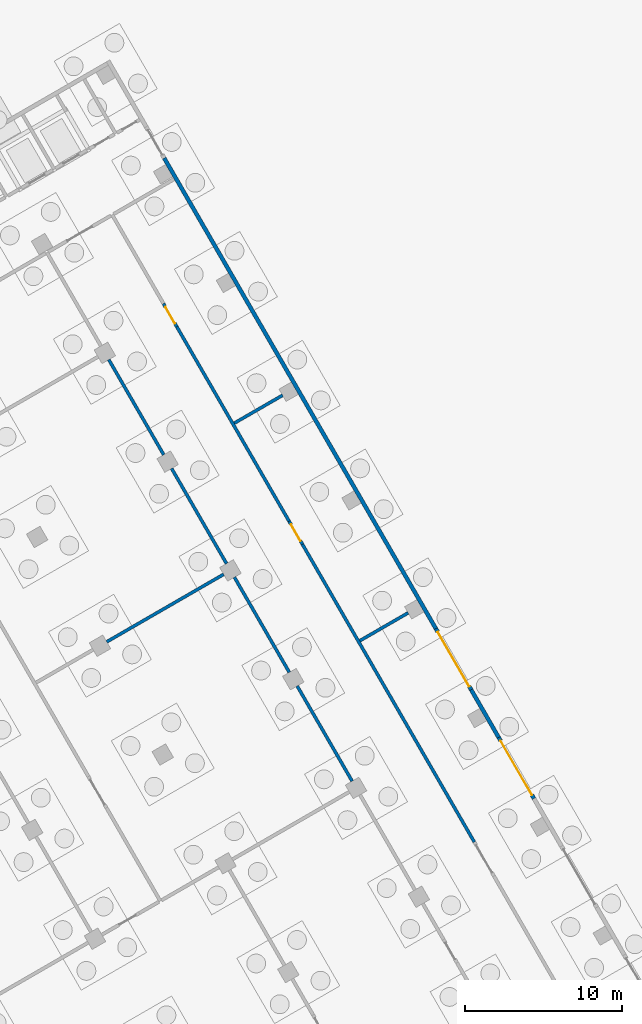
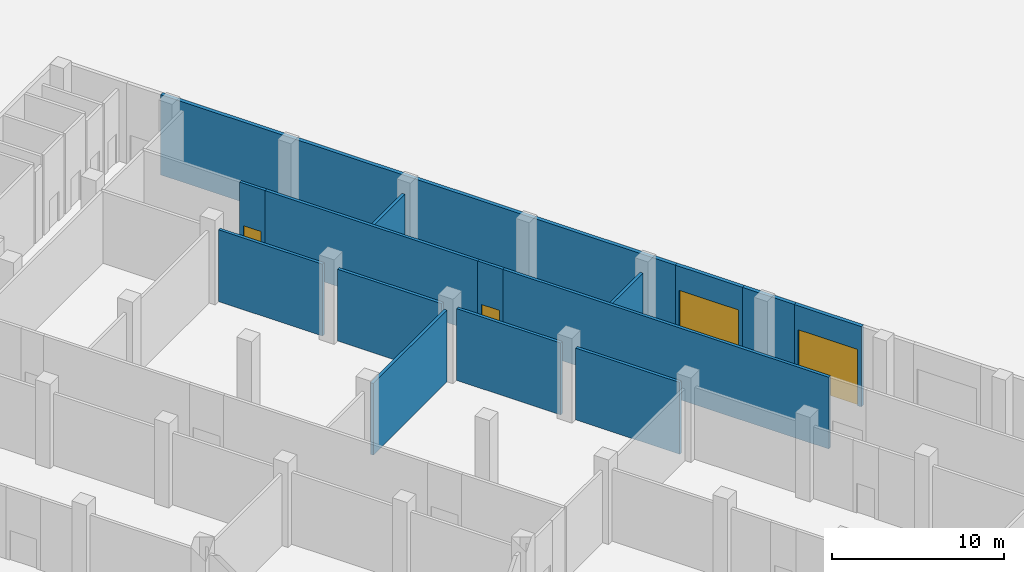
# One storey, part 23 of 38: 15 walls, 4 doors, 4 openings.
"""IFC4 building model written with IfcOpenShell, lengths in metres."""

from ifc_helpers import new_model, si_unit, direction, frame, frame_2d, origin, place, context, subcontext, project, spatial, rectangle, extrude, material, layer, layer_set, type_object, element, fill, save


model = new_model("IFC4")

# Units and contexts
model_context = context("Model", 3, precision=1e-05, world=origin(), true_north=direction((0.0, 1.0)))
body_context = subcontext(model_context, "Body", "Model", "MODEL_VIEW")
ifc_project = project(units=[si_unit("LENGTHUNIT", "METRE"), si_unit("AREAUNIT", "SQUARE_METRE"), si_unit("VOLUMEUNIT", "CUBIC_METRE"), si_unit("PLANEANGLEUNIT", "RADIAN"), si_unit("MASSUNIT", "GRAM", prefix="KILO")], contexts=[model_context])

# Site, building, storey
site_placement = place(None, origin())
site = spatial("IfcSite", under=ifc_project, at=site_placement, CompositionType="ELEMENT")
building_placement = place(site_placement, origin())
building = spatial("IfcBuilding", under=site, at=building_placement, Name="Mestral Congress Tower", CompositionType="ELEMENT")
storey_placement = place(building_placement, origin())
storey = spatial("IfcBuildingStorey", under=building, at=storey_placement, Name="L00", CompositionType="ELEMENT", Elevation=0.0)

# Wall, opening, door
ifc_material_1 = material(Name="Precast concrete C40/50 with limestone facing", Category="masonry")
ifc_layer_1 = layer(ifc_material_1, 0.25)
ifc_layer_set_1 = layer_set([ifc_layer_1], Name="Precast concrete C40/50 with limestone facing")
wall_type_1 = type_object("IfcWallType", Name="Podium external wall 250", PredefinedType="SOLIDWALL", material=ifc_layer_set_1)
wall_1_placement = place(storey_placement, frame((68.790283203125, 28.457763671875, 0.0), z_axis=(0.0, 0.0, 1.0), x_axis=(0.500013631625, -0.866017533419, 0.0)))
wall_1 = element("IfcWall", 1, at=wall_1_placement, inside=storey, type_object=wall_type_1, Name="L00 external wall", PredefinedType="SOLIDWALL", context=body_context, shape_type="SweptSolid", body=[
    extrude(rectangle(XDim=4.499755859375, YDim=0.25, at=frame_2d((2.25, 0.0))), origin(), (0.0, 0.0, 1.0), 5.699951171875),
])
opening_1_placement = place(wall_1_placement, frame((0.25, 0.0, 0.0)))
opening_1 = element("IfcOpeningElement", 2, at=opening_1_placement, cuts=wall_1, Name="Opening P00-010", PredefinedType="OPENING", context=body_context, shape_type="SweptSolid", body=[
    extrude(rectangle(XDim=4.0, YDim=4.0, at=frame_2d((2.0, 2.0))), frame((0.0, 0.135009765625, 0.0), z_axis=(0.0, -1.0, 0.0), x_axis=(1.0, 0.0, 0.0)), (0.0, 0.0, 1.0), 0.27001953125),
])
ifc_material_2 = material(Name="Fire-rated steel door set", Category="steel")
door_type_1 = type_object("IfcDoorType", Name="Podium service door 4000x4000", OperationType="ROLLINGUP", PredefinedType="DOOR", material=ifc_material_2)
door_1_placement = place(opening_1_placement, origin())
door_1 = element("IfcDoor", 3, at=door_1_placement, inside=storey, type_object=door_type_1, Name="Door P00-010", OperationType="ROLLINGUP", OverallHeight=4.0, OverallWidth=4.0, PredefinedType="DOOR", context=body_context, shape_type="SweptSolid", body=[
    extrude(rectangle(XDim=4.0, YDim=4.0, at=frame_2d((2.0, 2.0))), frame((0.0, 0.02490234375, 0.0), z_axis=(0.0, -1.0, 0.0), x_axis=(1.0, 0.0, 0.0)), (0.0, 0.0, 1.0), 0.050048828125),
])
fill(opening_1, door_1)

# Wall
wall_2_placement = place(storey_placement, frame((67.040283203125, 31.489013671875, 0.0), z_axis=(0.0, 0.0, 1.0), x_axis=(0.499980071345, -0.866036909293, 0.0)))
element("IfcWall", 4, at=wall_2_placement, inside=storey, type_object=wall_type_1, Name="L00 external wall", PredefinedType="SOLIDWALL", context=body_context, shape_type="SweptSolid", body=[
    extrude(rectangle(XDim=3.500244140625, YDim=0.25, at=frame_2d((1.75, 0.0))), origin(), (0.0, 0.0, 1.0), 5.699951171875),
])

# Wall, opening, door
wall_3_placement = place(storey_placement, frame((64.790283203125, 35.385986328125, 0.0), z_axis=(0.0, 0.0, 1.0), x_axis=(0.500013631625, -0.866017533419, 0.0)))
wall_3 = element("IfcWall", 5, at=wall_3_placement, inside=storey, type_object=wall_type_1, Name="L00 external wall", PredefinedType="SOLIDWALL", context=body_context, shape_type="SweptSolid", body=[
    extrude(rectangle(XDim=4.499755859375, YDim=0.25, at=frame_2d((2.25, 0.0))), origin(), (0.0, 0.0, 1.0), 5.699951171875),
])
opening_2_placement = place(wall_3_placement, frame((0.25, 0.0, 0.0)))
opening_2 = element("IfcOpeningElement", 6, at=opening_2_placement, cuts=wall_3, Name="Opening P00-011", PredefinedType="OPENING", context=body_context, shape_type="SweptSolid", body=[
    extrude(rectangle(XDim=4.0, YDim=4.0, at=frame_2d((2.0, 2.0))), frame((0.0, 0.135009765625, 0.0), z_axis=(0.0, -1.0, 0.0), x_axis=(1.0, 0.0, 0.0)), (0.0, 0.0, 1.0), 0.27001953125),
])
door_2_placement = place(opening_2_placement, origin())
door_2 = element("IfcDoor", 7, at=door_2_placement, inside=storey, type_object=door_type_1, Name="Door P00-011", OperationType="ROLLINGUP", OverallHeight=4.0, OverallWidth=4.0, PredefinedType="DOOR", context=body_context, shape_type="SweptSolid", body=[
    extrude(rectangle(XDim=4.0, YDim=4.0, at=frame_2d((2.0, 2.0))), frame((0.0, 0.02490234375, 0.0), z_axis=(0.0, -1.0, 0.0), x_axis=(1.0, 0.0, 0.0)), (0.0, 0.0, 1.0), 0.050048828125),
])
fill(opening_2, door_2)

# Walls
wall_4_placement = place(storey_placement, frame((47.490234375, 65.3505859375, 0.0), z_axis=(0.0, 0.0, 1.0), x_axis=(0.499999548647, -0.866025664373, 0.0)))
element("IfcWall", 8, at=wall_4_placement, inside=storey, type_object=wall_type_1, Name="L00 external wall", PredefinedType="SOLIDWALL", context=body_context, shape_type="SweptSolid", body=[
    extrude(rectangle(XDim=34.60009765625, YDim=0.25, at=frame_2d((17.300048828125, 0.0))), origin(), (0.0, 0.0, 1.0), 5.699951171875),
])
ifc_material_3 = material(Name="Fire-rated board partition")
ifc_layer_2 = layer(ifc_material_3, 0.199951171875)
ifc_layer_set_2 = layer_set([ifc_layer_2], Name="Fire-rated board partition")
wall_type_2 = type_object("IfcWallType", Name="Podium vestibule wall 200 EI 120", PredefinedType="PARTITIONING", material=ifc_layer_set_2)
for number, where, z_axis, x_axis, name in (
    (9, (59.459716796875, 25.668701171875, 0.0), (0.0, 0.0, 1.0), (-0.499995173006, 0.866028190633, 0.0), "L00 partition"),
    (10, (55.459716796875, 32.596923828125, 0.0), (0.0, 0.0, 1.0), (-0.499995173006, 0.866028190633, 0.0), "L00 partition"),
    (11, (51.459716796875, 39.525146484375, 0.0), (0.0, 0.0, 1.0), (-0.499995173006, 0.866028190633, 0.0), "L00 partition"),
    (12, (47.459716796875, 46.453369140625, 0.0), (0.0, 0.0, 1.0), (-0.499995173006, 0.866028190633, 0.0), "L00 partition"),
):
    element("IfcWall", number, at=place(storey_placement, frame(where, z_axis=z_axis, x_axis=x_axis)), inside=storey, type_object=wall_type_2, Name=name, PredefinedType="PARTITIONING", context=body_context, shape_type="SweptSolid", body=[
        extrude(rectangle(XDim=7.0, YDim=0.199951171875, at=frame_2d((3.5, 0.0))), origin(), (0.0, 0.0, 1.0), 5.10009765625),
    ])
wall_5_placement = place(storey_placement, frame((67.24169921875, 21.7900390625, 0.0), z_axis=(0.0, 0.0, 1.0), x_axis=(-0.500004551153, 0.866022776159, 0.0)))
element("IfcWall", 13, at=wall_5_placement, inside=storey, type_object=wall_type_2, Name="L00 partition", PredefinedType="PARTITIONING", context=body_context, shape_type="SweptSolid", body=[
    extrude(rectangle(XDim=21.900146484375, YDim=0.199951171875, at=frame_2d((10.9501953125, 0.0))), origin(), (0.0, 0.0, 1.0), 5.10009765625),
])

# Wall, opening, door
wall_6_placement = place(storey_placement, frame((56.29150390625, 40.756103515625, 0.0), z_axis=(0.0, 0.0, 1.0), x_axis=(-0.499954529098, 0.86605165483, 0.0)))
wall_6 = element("IfcWall", 14, at=wall_6_placement, inside=storey, type_object=wall_type_2, Name="L00 partition", PredefinedType="PARTITIONING", context=body_context, shape_type="SweptSolid", body=[
    extrude(rectangle(XDim=1.699951171875, YDim=0.199951171875, at=frame_2d((0.85009765625, 0.0))), origin(), (0.0, 0.0, 1.0), 5.10009765625),
])
opening_3_placement = place(wall_6_placement, frame((0.25, 0.0, 0.0)))
opening_3 = element("IfcOpeningElement", 15, at=opening_3_placement, cuts=wall_6, Name="Opening P00-052", PredefinedType="OPENING", context=body_context, shape_type="SweptSolid", body=[
    extrude(rectangle(XDim=1.199951171875, YDim=2.10009765625, at=frame_2d((0.60009765625, 1.050048828125))), frame((0.0, 0.10986328125, 0.0), z_axis=(0.0, -1.0, 0.0), x_axis=(1.0, 0.0, 0.0)), (0.0, 0.0, 1.0), 0.219970703125),
])
door_type_2 = type_object("IfcDoorType", Name="Podium service door 1200x2100 EI2 60-C5", OperationType="SINGLE_SWING_LEFT", PredefinedType="DOOR", material=ifc_material_2)
door_3_placement = place(opening_3_placement, origin())
door_3 = element("IfcDoor", 16, at=door_3_placement, inside=storey, type_object=door_type_2, Name="Door P00-052", OperationType="SINGLE_SWING_LEFT", OverallHeight=2.10009765625, OverallWidth=1.199951171875, PredefinedType="DOOR", context=body_context, shape_type="SweptSolid", body=[
    extrude(rectangle(XDim=1.199951171875, YDim=2.10009765625, at=frame_2d((0.60009765625, 1.050048828125))), frame((0.0, 0.02490234375, 0.0), z_axis=(0.0, -1.0, 0.0), x_axis=(1.0, 0.0, 0.0)), (0.0, 0.0, 1.0), 0.050048828125),
])
fill(opening_3, door_3)

# Wall
wall_7_placement = place(storey_placement, frame((55.441650390625, 42.228271484375, 0.0), z_axis=(0.0, 0.0, 1.0), x_axis=(-0.500004228592, 0.866022962392, 0.0)))
element("IfcWall", 17, at=wall_7_placement, inside=storey, type_object=wall_type_2, Name="L00 partition", PredefinedType="PARTITIONING", context=body_context, shape_type="SweptSolid", body=[
    extrude(rectangle(XDim=14.30029296875, YDim=0.199951171875, at=frame_2d((7.150146484375, 0.0))), origin(), (0.0, 0.0, 1.0), 5.10009765625),
])

# Wall, opening, door
wall_8_placement = place(storey_placement, frame((48.29150390625, 54.612548828125, 0.0), z_axis=(0.0, 0.0, 1.0), x_axis=(-0.499954529098, 0.86605165483, 0.0)))
wall_8 = element("IfcWall", 18, at=wall_8_placement, inside=storey, type_object=wall_type_2, Name="L00 partition", PredefinedType="PARTITIONING", context=body_context, shape_type="SweptSolid", body=[
    extrude(rectangle(XDim=1.699951171875, YDim=0.199951171875, at=frame_2d((0.85009765625, 0.0))), origin(), (0.0, 0.0, 1.0), 5.10009765625),
])
opening_4_placement = place(wall_8_placement, frame((0.25, 0.0, 0.0)))
opening_4 = element("IfcOpeningElement", 19, at=opening_4_placement, cuts=wall_8, Name="Opening P00-053", PredefinedType="OPENING", context=body_context, shape_type="SweptSolid", body=[
    extrude(rectangle(XDim=1.199951171875, YDim=2.10009765625, at=frame_2d((0.60009765625, 1.050048828125))), frame((0.0, 0.10986328125, 0.0), z_axis=(0.0, -1.0, 0.0), x_axis=(1.0, 0.0, 0.0)), (0.0, 0.0, 1.0), 0.219970703125),
])
door_4_placement = place(opening_4_placement, origin())
door_4 = element("IfcDoor", 20, at=door_4_placement, inside=storey, type_object=door_type_2, Name="Door P00-053", OperationType="SINGLE_SWING_LEFT", OverallHeight=2.10009765625, OverallWidth=1.199951171875, PredefinedType="DOOR", context=body_context, shape_type="SweptSolid", body=[
    extrude(rectangle(XDim=1.199951171875, YDim=2.10009765625, at=frame_2d((0.60009765625, 1.050048828125))), frame((0.0, 0.02490234375, 0.0), z_axis=(0.0, -1.0, 0.0), x_axis=(1.0, 0.0, 0.0)), (0.0, 0.0, 1.0), 0.050048828125),
])
fill(opening_4, door_4)

# Walls
wall_9_placement = place(storey_placement, frame((59.953125, 34.614013671875, 0.0), z_axis=(0.0, 0.0, 1.0), x_axis=(0.8660424351, 0.499970499736, 0.0)))
element("IfcWall", 21, at=wall_9_placement, inside=storey, type_object=wall_type_2, Name="L00 partition", PredefinedType="PARTITIONING", context=body_context, shape_type="SweptSolid", body=[
    extrude(rectangle(XDim=3.550048828125, YDim=0.199951171875, at=frame_2d((1.77490234375, 0.0))), origin(), (0.0, 0.0, 1.0), 5.10009765625),
])
wall_10_placement = place(storey_placement, frame((43.828857421875, 34.542236328125, 0.0), z_axis=(0.0, 0.0, 1.0), x_axis=(0.866021068297, 0.500007509209, 0.0)))
element("IfcWall", 22, at=wall_10_placement, inside=storey, type_object=wall_type_2, Name="L00 partition", PredefinedType="PARTITIONING", context=body_context, shape_type="SweptSolid", body=[
    extrude(rectangle(XDim=8.599853515625, YDim=0.199951171875, at=frame_2d((4.2998046875, 0.0))), origin(), (0.0, 0.0, 1.0), 5.10009765625),
])
wall_11_placement = place(storey_placement, frame((51.953125, 48.470458984375, 0.0), z_axis=(0.0, 0.0, 1.0), x_axis=(0.8660424351, 0.499970499736, 0.0)))
element("IfcWall", 23, at=wall_11_placement, inside=storey, type_object=wall_type_2, Name="L00 partition", PredefinedType="PARTITIONING", context=body_context, shape_type="SweptSolid", body=[
    extrude(rectangle(XDim=3.550048828125, YDim=0.199951171875, at=frame_2d((1.77490234375, 0.0))), origin(), (0.0, 0.0, 1.0), 5.10009765625),
])

save(model, "model.ifc")
